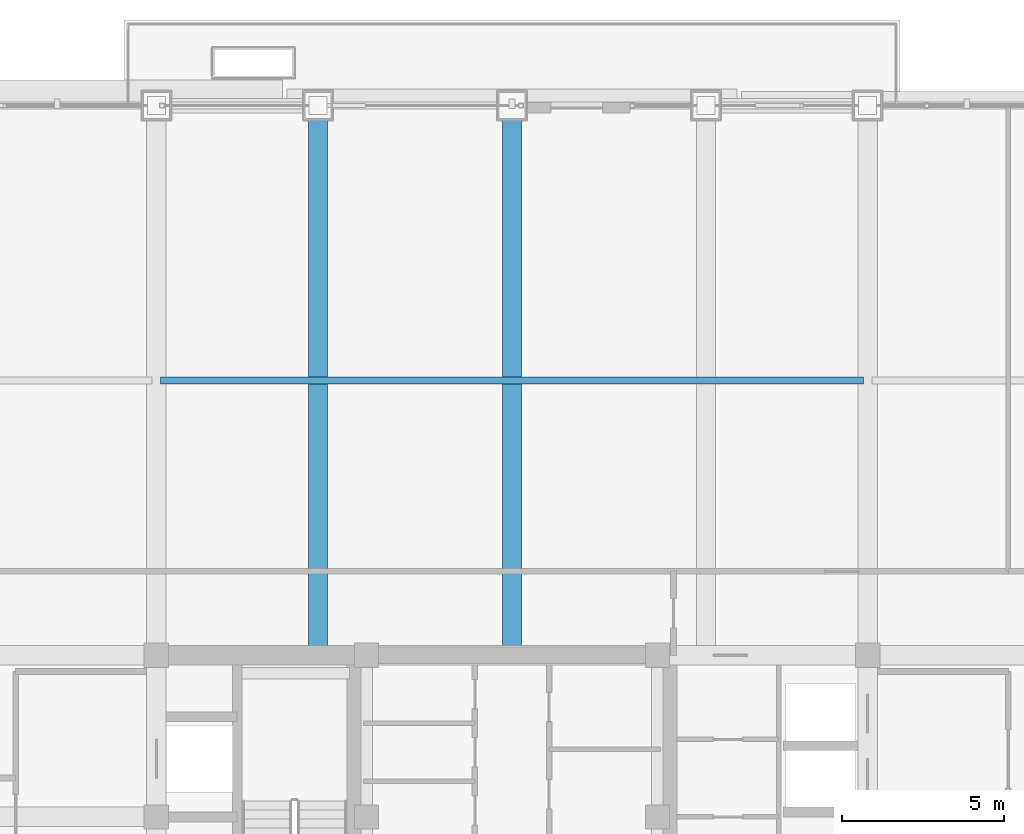
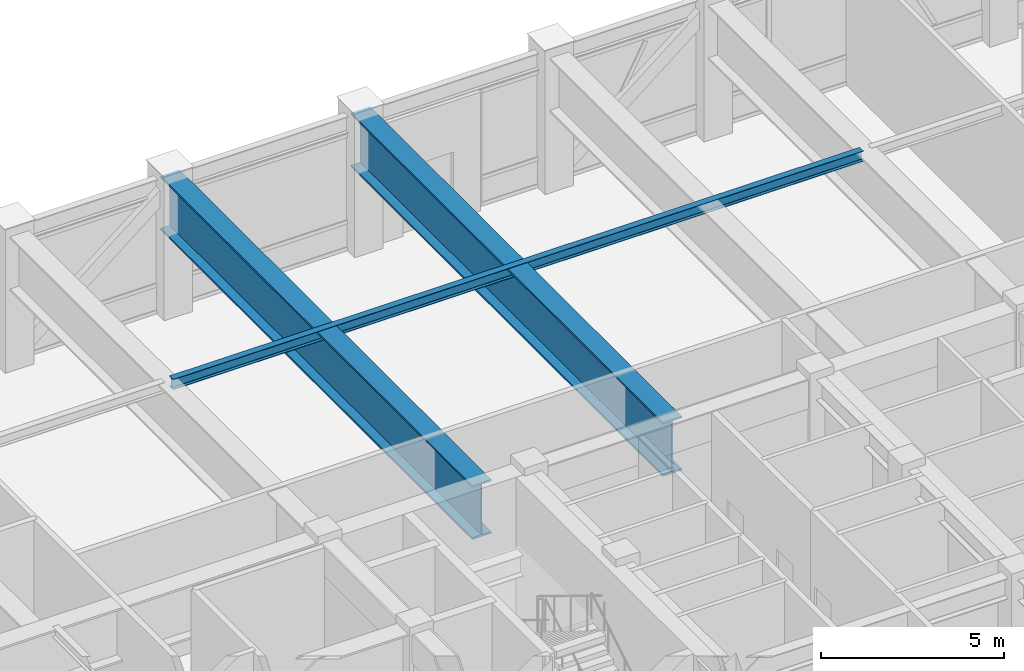
# One storey, part 16 of 31: 3 beams.
"""IFC4 building model written with IfcOpenShell, lengths in metres."""

from ifc_helpers import new_model, si_unit, direction, frame, origin, origin_2d, place, context, subcontext, project, spatial, i_section, extrude, source, transform, mapped, material, material_profile, profile_set, type_object, element, save


model = new_model("IFC4")

# Units and contexts
model_context = context("Model", 3, precision=1e-05, world=origin(), true_north=direction((0.0, 1.0)))
body_context = subcontext(model_context, "Body", "Model", "MODEL_VIEW")
ifc_project = project(units=[si_unit("LENGTHUNIT", "METRE"), si_unit("AREAUNIT", "SQUARE_METRE"), si_unit("VOLUMEUNIT", "CUBIC_METRE"), si_unit("PLANEANGLEUNIT", "RADIAN"), si_unit("MASSUNIT", "GRAM", prefix="KILO")], contexts=[model_context])

# Site, building, storey
site_placement = place(None, origin())
site = spatial("IfcSite", under=ifc_project, at=site_placement, CompositionType="ELEMENT")
building_placement = place(site_placement, origin())
building = spatial("IfcBuilding", under=site, at=building_placement, Name="Khorayat Bourse Tower", CompositionType="ELEMENT")
storey_placement = place(building_placement, frame((0.0, 0.0, 321.5)))
storey = spatial("IfcBuildingStorey", under=building, at=storey_placement, Name="L76", CompositionType="ELEMENT", Elevation=321.5)

# Beams
ifc_material_1 = material(Name="Steel EN 10025-4 S460M", Category="steel")
ifc_material_profile_1 = material_profile(ifc_material_1, i_section(OverallWidth=0.60009765625, OverallDepth=1.800048828125, WebThickness=0.031982421875, FlangeThickness=0.06005859375, at=origin_2d()), Name="PG 1800x600x32x60")
ifc_profile_set_1 = profile_set([ifc_material_profile_1], Name="Steel EN 10025-4 S460M")
beam_type_1 = type_object("IfcBeamType", Name="BM-TR-1800", PredefinedType="BEAM", material=ifc_profile_set_1)
shared_shape_1 = source(origin(), body_context, "Body", "SweptSolid", [
    extrude(i_section(OverallWidth=0.60009765625, OverallDepth=1.800048828125, WebThickness=0.031982421875, FlangeThickness=0.06005859375, at=origin_2d()), origin(), (0.0, 0.0, 1.0), 17.0),
])
for number, where, z_axis, x_axis, name in (
    (1, (-6.0, 11.0, 3.60009765625), (0.0, 1.0, 0.0), (-1.0, 0.0, 0.0), "L76 BM-TR-1800 BM-L76-RADY-066"),
    (2, (0.0, 11.0, 3.60009765625), (0.0, 1.0, 0.0), (-1.0, 0.0, 0.0), "L76 BM-TR-1800 BM-L76-RADY-068"),
):
    element("IfcBeam", number, at=place(storey_placement, frame(where, z_axis=z_axis, x_axis=x_axis)), inside=storey, type_object=beam_type_1, Name=name, PredefinedType="BEAM", context=body_context, shape_type="MappedRepresentation", body=[
        mapped(shared_shape_1, transform((0.0, 0.0, 0.0), scale=1.0)),
    ])
ifc_material_2 = material(Name="Steel ASTM A992 Grade 50", Category="steel")
ifc_material_profile_2 = material_profile(ifc_material_2, i_section(OverallWidth=0.202880859375, OverallDepth=0.346923828125, WebThickness=0.0078125, FlangeThickness=0.013427734375, FilletRadius=0.010009765625, at=origin_2d()), Name="W360X64")
ifc_profile_set_2 = profile_set([ifc_material_profile_2], Name="Steel ASTM A992 Grade 50")
beam_type_2 = type_object("IfcBeamType", Name="BM-JOIST-360", PredefinedType="JOIST", material=ifc_profile_set_2)
shared_shape_2 = source(origin(), body_context, "Body", "SweptSolid", [
    extrude(i_section(OverallWidth=0.202880859375, OverallDepth=0.346923828125, WebThickness=0.0078125, FlangeThickness=0.013427734375, FilletRadius=0.010009765625, at=origin_2d()), origin(), (0.0, 0.0, 1.0), 21.740234375),
])
beam_placement = place(storey_placement, frame((-10.8701171875, 19.5, 4.366455078125), z_axis=(1.0, 0.0, 0.0), x_axis=(0.0, 1.0, 0.0)))
element("IfcBeam", 3, at=beam_placement, inside=storey, type_object=beam_type_2, Name="L76 BM-JOIST-360 BM-L76-JSTX-100", PredefinedType="JOIST", context=body_context, shape_type="MappedRepresentation", body=[
    mapped(shared_shape_2, transform((0.0, 0.0, 0.0), scale=1.0)),
])

save(model, "model.ifc")
